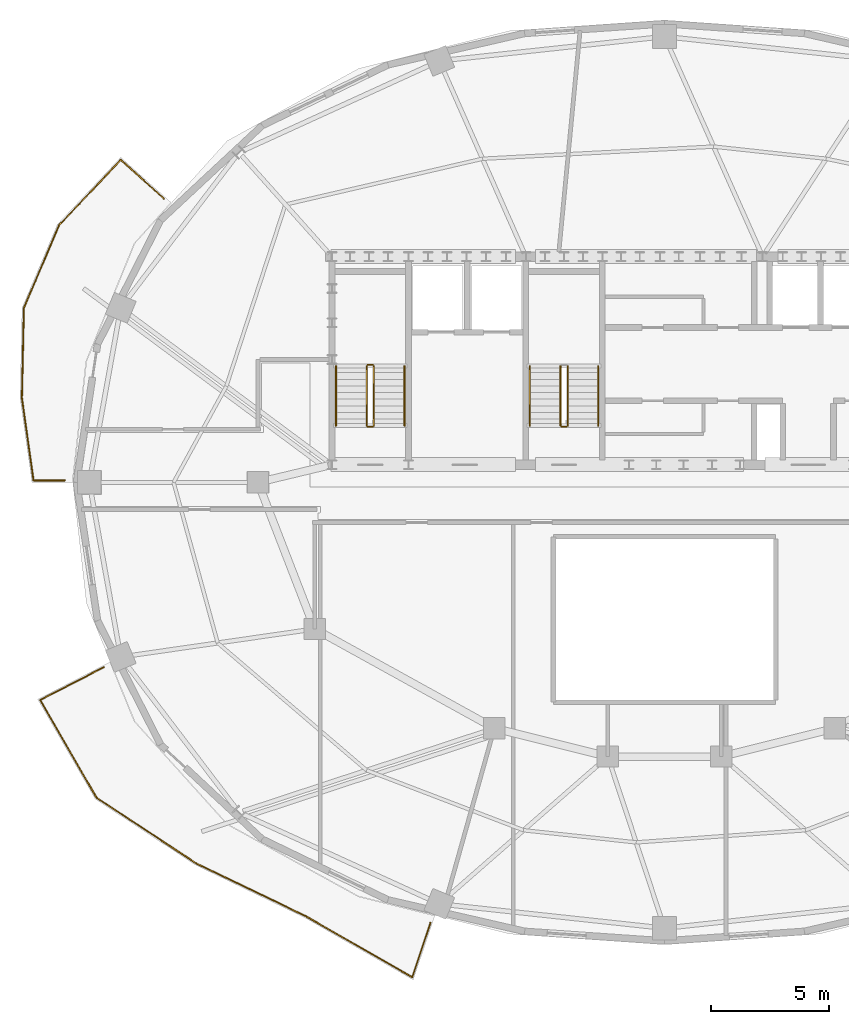
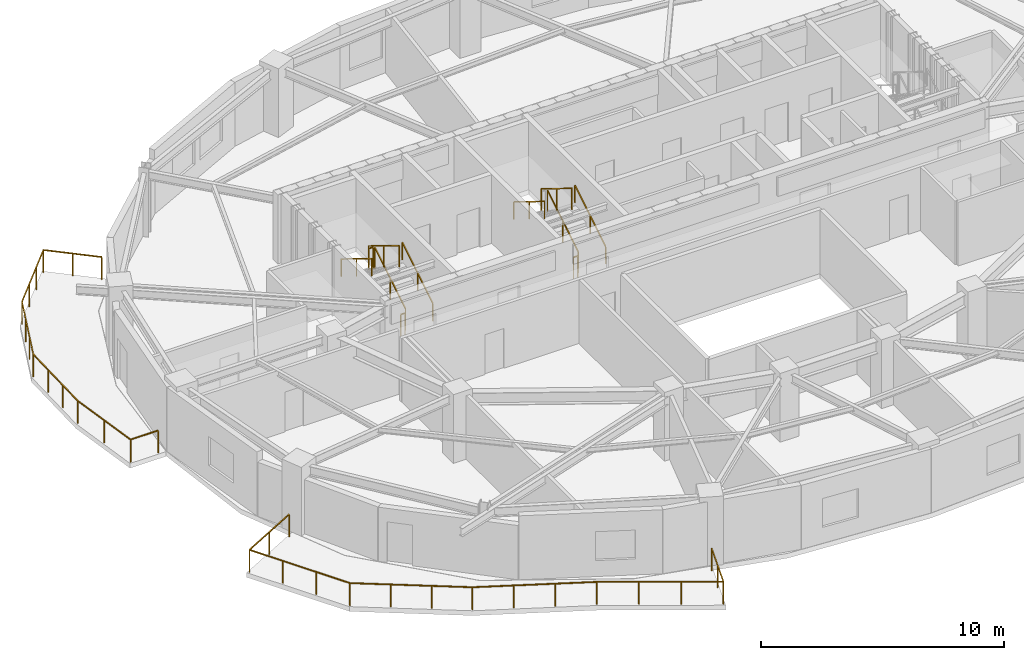
# One storey, part 7 of 10: 13 railings.
"""IFC4 building model written with IfcOpenShell, lengths in metres."""

import ifcopenshell
import ifcopenshell.guid

model = None  # the IFC model being written
_history = None  # IfcOwnerHistory: only IFC2X3 demands one
_inside = {}  # id of a spatial element -> (the spatial element, [elements in it])
_under = {}  # id of a project, library or spatial element -> (it, [spatial elements below it])
_declared = {}  # id of a project -> (the project, [libraries it declares])
_typed = {}  # id of a type object -> (the type object, [elements of that type])
_made_of = {}  # id of a material, layer set ... -> (it, [elements and type objects made of it])


def new_model(schema):
    """Start an empty IFC model of exactly this schema.

    Asked for "IFC4X3", IfcOpenShell would pick the latest addendum, in which some entities
    have other attributes; the version numbers below select the first issue.
    IFC2X3 requires an IfcOwnerHistory on every rooted entity: one is made here for all.
    """
    global model, _history
    if schema == "IFC4X3":
        model = ifcopenshell.file(schema_version=(4, 3, 0, 0))
    else:
        model = ifcopenshell.file(schema=schema)
    _inside.clear()
    _under.clear()
    _declared.clear()
    _typed.clear()
    _made_of.clear()
    _history = None
    if model.schema == "IFC2X3":
        org = make("IfcOrganization", Name="unknown")
        user = make(
            "IfcPersonAndOrganization",
            ThePerson=make("IfcPerson", FamilyName="unknown"),
            TheOrganization=org,
        )
        app = make(
            "IfcApplication",
            ApplicationDeveloper=org,
            Version="unknown",
            ApplicationFullName="unknown",
            ApplicationIdentifier="unknown",
        )
        _history = make(
            "IfcOwnerHistory",
            OwningUser=user,
            OwningApplication=app,
            ChangeAction="ADDED",
            CreationDate=0,
        )
    return model


def make(cls, **values):
    """One entity of the class cls with the attributes given. An attribute that is None is left unset."""
    return model.create_entity(
        cls, **{name: value for name, value in values.items() if value is not None}
    )


def rooted(cls, **values):
    """An entity with a GlobalId (a new one), such as an element, a storey or a relation."""
    return make(cls, GlobalId=ifcopenshell.guid.new(), OwnerHistory=_history, **values)


def si_unit(unit_type, name, prefix=None):
    """IfcSIUnit, for example si_unit("LENGTHUNIT", "METRE", prefix="MILLI")."""
    return make("IfcSIUnit", UnitType=unit_type, Prefix=prefix, Name=name)


def assignment(units):
    """IfcUnitAssignment: the units of a project."""
    return None if units is None else make("IfcUnitAssignment", Units=units)


def point(xyz):
    """IfcCartesianPoint."""
    return None if xyz is None else make("IfcCartesianPoint", Coordinates=xyz)


def direction(xyz):
    """IfcDirection."""
    return None if xyz is None else make("IfcDirection", DirectionRatios=xyz)


def frame(location, z_axis=None, x_axis=None):
    """IfcAxis2Placement3D, a coordinate frame: its origin and axes. An axis left out is left unset."""
    return make(
        "IfcAxis2Placement3D",
        Location=point(location),
        Axis=direction(z_axis),
        RefDirection=direction(x_axis),
    )


def frame_2d(location, x_axis=None):
    """IfcAxis2Placement2D, a coordinate frame in the plane: its origin and x axis."""
    return make(
        "IfcAxis2Placement2D", Location=point(location), RefDirection=direction(x_axis)
    )


def origin():
    """The frame at (0, 0, 0) with its axes left unset."""
    return frame((0.0, 0.0, 0.0))


def origin_2d():
    """The frame at (0, 0) in the plane with its x axis left unset."""
    return frame_2d((0.0, 0.0))


def place(relative_to, where):
    """IfcLocalPlacement: puts the frame where relative to a parent placement (None: the world)."""
    return make(
        "IfcLocalPlacement", PlacementRelTo=relative_to, RelativePlacement=where
    )


def context(
    kind, dimensions, precision=None, world=None, true_north=None, identifier=None
):
    """IfcGeometricRepresentationContext, for example the 3D "Model" context."""
    return make(
        "IfcGeometricRepresentationContext",
        ContextIdentifier=identifier,
        ContextType=kind,
        CoordinateSpaceDimension=dimensions,
        Precision=precision,
        WorldCoordinateSystem=world,
        TrueNorth=true_north,
    )


def subcontext(parent, identifier, kind, view, scale=None):
    """IfcGeometricRepresentationSubContext, for example "Body" below "Model"."""
    return make(
        "IfcGeometricRepresentationSubContext",
        ContextIdentifier=identifier,
        ContextType=kind,
        ParentContext=parent,
        TargetScale=scale,
        TargetView=view,
    )


def project(units=None, contexts=None):
    """IfcProject with its units and contexts."""
    return rooted(
        "IfcProject",
        Name="project",
        RepresentationContexts=contexts,
        UnitsInContext=assignment(units),
    )


def spatial(cls, under=None, at=None, **own):
    """A site, building, storey or space (cls), placed at a placement, below another one or the project."""
    s = rooted(cls, ObjectPlacement=at, **own)
    if under is not None:
        _under.setdefault(under.id(), (under, []))[1].append(s)
    return s


def profile(cls, at=None, kind="AREA", **sizes):
    """A parametric profile (cls). Its sizes go by their IFC names, for example OverallWidth=200.0."""
    return make(cls, ProfileType=kind, Position=at, **sizes)


def rectangle(**sizes):
    """IfcRectangleProfileDef."""
    return profile("IfcRectangleProfileDef", **sizes)


def extrude(swept, where, along, depth):
    """IfcExtrudedAreaSolid: the profile swept, set in the frame where, extruded along a direction by depth."""
    return make(
        "IfcExtrudedAreaSolid",
        SweptArea=swept,
        Position=where,
        ExtrudedDirection=direction(along),
        Depth=depth,
    )


def shape(context_of_items, identifier, shape_type, items):
    """IfcShapeRepresentation: the items that make up one representation, for example the "Body"."""
    return make(
        "IfcShapeRepresentation",
        ContextOfItems=context_of_items,
        RepresentationIdentifier=identifier,
        RepresentationType=shape_type,
        Items=items,
    )


def material(Name=None, Category=None):
    """IfcMaterial."""
    return make("IfcMaterial", Name=Name, Category=Category)


def made_of(thing, what):
    """Note that an element or type object is made of a material, layer set ...; save() writes the relation."""
    if what is not None:
        _made_of.setdefault(what.id(), (what, []))[1].append(thing)
    return thing


def type_object(cls, material=None, **own):
    """A type object (cls), such as IfcWallType, which elements share."""
    return made_of(rooted(cls, **own), material)


def element(
    cls,
    number,
    at=None,
    inside=None,
    cuts=None,
    type_object=None,
    material=None,
    context=None,
    identifier="Body",
    shape_type=None,
    held_by="IfcProductDefinitionShape",
    body=None,
    shapes=None,
    **own,
):
    """One element of the class cls, such as IfcWall. Its Tag is "e" and its number.

    at: its placement. inside: the storey or other place that contains it. cuts: it is an
    opening in that element (IfcRelVoidsElement). A single representation is given by context,
    identifier, shape_type and body (its items); several are given by shapes. held_by: the class
    of the entity that holds the representations. save() writes the other relations.
    """
    e = rooted(cls, Tag="e%d" % number, ObjectPlacement=at, **own)
    if body is not None:
        shapes = [shape(context, identifier, shape_type, body)]
    if shapes is not None:
        e.Representation = make(held_by, Representations=shapes)
    if inside is not None:
        _inside.setdefault(inside.id(), (inside, []))[1].append(e)
    if cuts is not None:
        rooted(
            "IfcRelVoidsElement", RelatingBuildingElement=cuts, RelatedOpeningElement=e
        )
    if type_object is not None:
        _typed.setdefault(type_object.id(), (type_object, []))[1].append(e)
    return made_of(e, material)


def aggregate(whole, parts):
    """IfcRelAggregates: a whole, such as a stair, and the parts it consists of."""
    return rooted("IfcRelAggregates", RelatingObject=whole, RelatedObjects=parts)


def save(model, path):
    """Write the relations noted so far, then the file.

    IfcRelAggregates (storeys below a building ...), IfcRelContainedInSpatialStructure (elements
    in a storey), IfcRelDefinesByType, IfcRelAssociatesMaterial and IfcRelDeclares: one each for
    every whole, place, type object, material and project.
    """
    for whole, parts in _under.values():
        aggregate(whole, parts)
    for where, things in _inside.values():
        rooted(
            "IfcRelContainedInSpatialStructure",
            RelatedElements=things,
            RelatingStructure=where,
        )
    for kind, things in _typed.values():
        rooted("IfcRelDefinesByType", RelatedObjects=things, RelatingType=kind)
    for what, things in _made_of.values():
        rooted("IfcRelAssociatesMaterial", RelatedObjects=things, RelatingMaterial=what)
    for by, libraries in _declared.values():
        rooted("IfcRelDeclares", RelatingContext=by, RelatedDefinitions=libraries)
    model.write(path)


model = new_model("IFC4")

# Units and contexts
model_context = context("Model", 3, precision=1e-05, world=origin(), true_north=direction((0.0, 1.0)))
body_context = subcontext(model_context, "Body", "Model", "MODEL_VIEW")
ifc_project = project(units=[si_unit("LENGTHUNIT", "METRE"), si_unit("AREAUNIT", "SQUARE_METRE"), si_unit("VOLUMEUNIT", "CUBIC_METRE"), si_unit("PLANEANGLEUNIT", "RADIAN"), si_unit("MASSUNIT", "GRAM", prefix="KILO")], contexts=[model_context])

# Site, building, storey
site_placement = place(None, origin())
site = spatial("IfcSite", under=ifc_project, at=site_placement, CompositionType="ELEMENT")
building_placement = place(site_placement, origin())
building = spatial("IfcBuilding", under=site, at=building_placement, Name="Haldorwick Loom Tower", CompositionType="ELEMENT")
storey_placement = place(building_placement, frame((0.0, 0.0, 262.64990234375)))
storey = spatial("IfcBuildingStorey", under=building, at=storey_placement, Name="L71", CompositionType="ELEMENT", Elevation=262.64990234375)

# Railings
ifc_material_1 = material(Name="Galvanized Steel CSA G40.21 350W", Category="steel")
railing_type_1 = type_object("IfcRailingType", Name="ARC-RLG-BAL115", PredefinedType="BALUSTRADE", material=ifc_material_1)
railing_1_placement = place(storey_placement, frame((26.09814453125, 7.369384765625, 0.0)))
element("IfcRailing", 1, at=railing_1_placement, inside=storey, type_object=railing_type_1, Name="L71 Outdoor Terrace Guardrail SLB-L71-BAL_SW-1", PredefinedType="BALUSTRADE", context=body_context, shape_type="SweptSolid", body=[
    extrude(rectangle(XDim=0.048095703125, YDim=0.048095703125, at=origin_2d()), frame((0.0, 0.0, 1.1259765625), z_axis=(-0.318097128487, -0.948058129467, 0.0), x_axis=(0.948058129467, -0.318097128487, 0.0)), (0.0, 0.0, 1.0), 2.428466796875),
    extrude(rectangle(XDim=0.048095703125, YDim=0.048095703125, at=origin_2d()), frame((-0.7724609375, -2.30224609375, 1.1259765625), z_axis=(-0.867556557093, 0.497338536858, 0.0), x_axis=(-0.497338536858, -0.867556557093, 0.0)), (0.0, 0.0, 1.0), 5.21435546875),
    extrude(rectangle(XDim=0.048095703125, YDim=0.048095703125, at=origin_2d()), frame((-5.296142578125, 0.291015625, 1.1259765625), z_axis=(-0.88583153528, 0.464006994671, 0.0), x_axis=(-0.464006994671, -0.88583153528, 0.0)), (0.0, 0.0, 1.0), 0.005859375),
    extrude(rectangle(XDim=0.048095703125, YDim=0.048095703125, at=origin_2d()), frame((-5.30126953125, 0.293701171875, 1.1259765625), z_axis=(-0.900959540585, 0.43390310696, 0.0), x_axis=(-0.43390310696, -0.900959540585, 0.0)), (0.0, 0.0, 1.0), 5.117919921875),
    extrude(rectangle(XDim=0.048095703125, YDim=0.048095703125, at=origin_2d()), frame((-9.912353515625, 2.514404296875, 1.1259765625), z_axis=(-0.835016316528, 0.550225182204, 0.0), x_axis=(-0.550225182204, -0.835016316528, 0.0)), (0.0, 0.0, 1.0), 5.044921875),
    extrude(rectangle(XDim=0.048095703125, YDim=0.048095703125, at=origin_2d()), frame((-14.125, 5.290283203125, 1.1259765625), z_axis=(-0.499904092211, 0.866080769092, 0.0), x_axis=(-0.866080769092, -0.499904092211, 0.0)), (0.0, 0.0, 1.0), 4.7705078125),
    extrude(rectangle(XDim=0.048095703125, YDim=0.048095703125, at=origin_2d()), frame((-16.509765625, 9.421875, 1.1259765625), z_axis=(0.888515434259, 0.458846731583, 0.0), x_axis=(-0.458846731583, 0.888515434259, 0.0)), (0.0, 0.0, 1.0), 3.0205078125),
    extrude(rectangle(XDim=0.0419921875, YDim=0.0419921875, at=origin_2d()), origin(), (0.0, 0.0, 1.0), 1.101806640625),
    extrude(rectangle(XDim=0.0419921875, YDim=0.0419921875, at=origin_2d()), frame((-0.38623046875, -1.151123046875, 0.0)), (0.0, 0.0, 1.0), 1.101806640625),
    extrude(rectangle(XDim=0.0419921875, YDim=0.0419921875, at=origin_2d()), frame((-0.7724609375, -2.30224609375, 0.0)), (0.0, 0.0, 1.0), 1.101806640625),
    extrude(rectangle(XDim=0.0419921875, YDim=0.0419921875, at=origin_2d()), frame((-2.2802734375, -1.437744140625, 0.0)), (0.0, 0.0, 1.0), 1.101806640625),
    extrude(rectangle(XDim=0.0419921875, YDim=0.0419921875, at=origin_2d()), frame((-3.788330078125, -0.573486328125, 0.0)), (0.0, 0.0, 1.0), 1.101806640625),
    extrude(rectangle(XDim=0.0419921875, YDim=0.0419921875, at=origin_2d()), frame((-5.296142578125, 0.291015625, 0.0)), (0.0, 0.0, 1.0), 1.101806640625),
    extrude(rectangle(XDim=0.0419921875, YDim=0.0419921875, at=origin_2d()), frame((-6.83837890625, 1.033935546875, 0.0)), (0.0, 0.0, 1.0), 1.101806640625),
    extrude(rectangle(XDim=0.0419921875, YDim=0.0419921875, at=origin_2d()), frame((-8.375244140625, 1.774169921875, 0.0)), (0.0, 0.0, 1.0), 1.101806640625),
    extrude(rectangle(XDim=0.0419921875, YDim=0.0419921875, at=origin_2d()), frame((-9.912353515625, 2.514404296875, 0.0)), (0.0, 0.0, 1.0), 1.101806640625),
    extrude(rectangle(XDim=0.0419921875, YDim=0.0419921875, at=origin_2d()), frame((-11.316650390625, 3.439697265625, 0.0)), (0.0, 0.0, 1.0), 1.101806640625),
    extrude(rectangle(XDim=0.0419921875, YDim=0.0419921875, at=origin_2d()), frame((-12.720703125, 4.364990234375, 0.0)), (0.0, 0.0, 1.0), 1.101806640625),
    extrude(rectangle(XDim=0.0419921875, YDim=0.0419921875, at=origin_2d()), frame((-14.125, 5.290283203125, 0.0)), (0.0, 0.0, 1.0), 1.101806640625),
    extrude(rectangle(XDim=0.0419921875, YDim=0.0419921875, at=origin_2d()), frame((-14.919921875, 6.66748046875, 0.0)), (0.0, 0.0, 1.0), 1.101806640625),
    extrude(rectangle(XDim=0.0419921875, YDim=0.0419921875, at=origin_2d()), frame((-15.71484375, 8.044677734375, 0.0)), (0.0, 0.0, 1.0), 1.101806640625),
    extrude(rectangle(XDim=0.0419921875, YDim=0.0419921875, at=origin_2d()), frame((-16.509765625, 9.421875, 0.0)), (0.0, 0.0, 1.0), 1.101806640625),
    extrude(rectangle(XDim=0.0419921875, YDim=0.0419921875, at=origin_2d()), frame((-15.16796875, 10.11474609375, 0.0)), (0.0, 0.0, 1.0), 1.101806640625),
    extrude(rectangle(XDim=0.0419921875, YDim=0.0419921875, at=origin_2d()), frame((-13.825927734375, 10.807861328125, 0.0)), (0.0, 0.0, 1.0), 1.101806640625),
])
railing_2_placement = place(storey_placement, frame((10.6201171875, 26.080078125, 0.0)))
element("IfcRailing", 2, at=railing_2_placement, inside=storey, type_object=railing_type_1, Name="L71 Outdoor Terrace Guardrail SLB-L71-BAL_WNW-1", PredefinedType="BALUSTRADE", context=body_context, shape_type="SweptSolid", body=[
    extrude(rectangle(XDim=0.048095703125, YDim=0.048095703125, at=origin_2d()), frame((0.0, 0.0, 1.1259765625), z_axis=(-1.0, 0.0, 0.0), x_axis=(0.0, -1.0, 0.0)), (0.0, 0.0, 1.0), 1.31396484375),
    extrude(rectangle(XDim=0.048095703125, YDim=0.048095703125, at=origin_2d()), frame((-1.31396484375, 0.0, 1.1259765625), z_axis=(-0.139753531674, 0.990186321045, 0.0), x_axis=(-0.990186321045, -0.139753531674, 0.0)), (0.0, 0.0, 1.0), 3.525390625),
    extrude(rectangle(XDim=0.048095703125, YDim=0.048095703125, at=origin_2d()), frame((-1.806640625, 3.49072265625, 1.1259765625), z_axis=(0.022039763709, 0.999757094906, 0.0), x_axis=(-0.999757094906, 0.022039763709, 0.0)), (0.0, 0.0, 1.0), 3.799560546875),
    extrude(rectangle(XDim=0.048095703125, YDim=0.048095703125, at=origin_2d()), frame((-1.722900390625, 7.289306640625, 1.1259765625), z_axis=(0.390058661454, 0.920790008973, 0.0), x_axis=(-0.920790008973, 0.390058661454, 0.0)), (0.0, 0.0, 1.0), 3.80419921875),
    extrude(rectangle(XDim=0.048095703125, YDim=0.048095703125, at=origin_2d()), frame((-0.239013671875, 10.792236328125, 1.1259765625), z_axis=(0.68661601203, 0.72702025558, 0.0), x_axis=(-0.72702025558, 0.68661601203, 0.0)), (0.0, 0.0, 1.0), 3.812744140625),
    extrude(rectangle(XDim=0.048095703125, YDim=0.048095703125, at=origin_2d()), frame((2.37890625, 13.564208984375, 1.1259765625), z_axis=(0.74350700647, -0.668728144563, 0.0), x_axis=(0.668728144563, 0.74350700647, 0.0)), (0.0, 0.0, 1.0), 2.451904296875),
    extrude(rectangle(XDim=0.0419921875, YDim=0.0419921875, at=origin_2d()), origin(), (0.0, 0.0, 1.0), 1.101806640625),
    extrude(rectangle(XDim=0.0419921875, YDim=0.0419921875, at=origin_2d()), frame((-1.31396484375, 0.0, 0.0)), (0.0, 0.0, 1.0), 1.101806640625),
    extrude(rectangle(XDim=0.0419921875, YDim=0.0419921875, at=origin_2d()), frame((-1.560302734375, 1.745361328125, 0.0)), (0.0, 0.0, 1.0), 1.101806640625),
    extrude(rectangle(XDim=0.0419921875, YDim=0.0419921875, at=origin_2d()), frame((-1.806640625, 3.49072265625, 0.0)), (0.0, 0.0, 1.0), 1.101806640625),
    extrude(rectangle(XDim=0.0419921875, YDim=0.0419921875, at=origin_2d()), frame((-1.77880859375, 4.7568359375, 0.0)), (0.0, 0.0, 1.0), 1.101806640625),
    extrude(rectangle(XDim=0.0419921875, YDim=0.0419921875, at=origin_2d()), frame((-1.750732421875, 6.023193359375, 0.0)), (0.0, 0.0, 1.0), 1.101806640625),
    extrude(rectangle(XDim=0.0419921875, YDim=0.0419921875, at=origin_2d()), frame((-1.722900390625, 7.289306640625, 0.0)), (0.0, 0.0, 1.0), 1.101806640625),
    extrude(rectangle(XDim=0.0419921875, YDim=0.0419921875, at=origin_2d()), frame((-1.228271484375, 8.45703125, 0.0)), (0.0, 0.0, 1.0), 1.101806640625),
    extrude(rectangle(XDim=0.0419921875, YDim=0.0419921875, at=origin_2d()), frame((-0.733642578125, 9.62451171875, 0.0)), (0.0, 0.0, 1.0), 1.101806640625),
    extrude(rectangle(XDim=0.0419921875, YDim=0.0419921875, at=origin_2d()), frame((-0.239013671875, 10.792236328125, 0.0)), (0.0, 0.0, 1.0), 1.101806640625),
    extrude(rectangle(XDim=0.0419921875, YDim=0.0419921875, at=origin_2d()), frame((0.633544921875, 11.71630859375, 0.0)), (0.0, 0.0, 1.0), 1.101806640625),
    extrude(rectangle(XDim=0.0419921875, YDim=0.0419921875, at=origin_2d()), frame((1.50634765625, 12.64013671875, 0.0)), (0.0, 0.0, 1.0), 1.101806640625),
    extrude(rectangle(XDim=0.0419921875, YDim=0.0419921875, at=origin_2d()), frame((2.37890625, 13.564208984375, 0.0)), (0.0, 0.0, 1.0), 1.101806640625),
    extrude(rectangle(XDim=0.0419921875, YDim=0.0419921875, at=origin_2d()), frame((3.29052734375, 12.744384765625, 0.0)), (0.0, 0.0, 1.0), 1.101806640625),
    extrude(rectangle(XDim=0.0419921875, YDim=0.0419921875, at=origin_2d()), frame((4.201904296875, 11.924560546875, 0.0)), (0.0, 0.0, 1.0), 1.101806640625),
])
ifc_material_2 = material(Name="Steel CSA G40.21 350W", Category="steel")
railing_type_2 = type_object("IfcRailingType", Name="ARC-RLG-GUARD112", PredefinedType="GUARDRAIL", material=ifc_material_2)
railing_3_placement = place(storey_placement, frame((23.699951171875, 28.39990234375, 0.172607421875)))
element("IfcRailing", 3, at=railing_3_placement, inside=storey, type_object=railing_type_2, Name="L71 ST-01 stair guard 1", PredefinedType="GUARDRAIL", context=body_context, shape_type="SweptSolid", body=[
    extrude(rectangle(XDim=0.048095703125, YDim=0.048095703125, at=origin_2d()), frame((0.0, 0.0, 1.076171875), z_axis=(0.0, 0.851400495292, 0.524516154772), x_axis=(-1.0, 0.0, 0.0)), (0.0, 0.0, 1.0), 2.9599609375),
    extrude(rectangle(XDim=0.0419921875, YDim=0.0419921875, at=origin_2d()), origin(), (0.0, 0.0, 1.0), 1.052001953125),
    extrude(rectangle(XDim=0.0419921875, YDim=0.0419921875, at=origin_2d()), frame((0.0, 1.260009765625, 0.7763671875)), (0.0, 0.0, 1.0), 1.052001953125),
    extrude(rectangle(XDim=0.0419921875, YDim=0.0419921875, at=origin_2d()), frame((0.0, 2.52001953125, 1.552490234375)), (0.0, 0.0, 1.0), 1.052001953125),
])
railing_4_placement = place(storey_placement, frame((23.64990234375, 30.969970703125, 1.72509765625)))
element("IfcRailing", 4, at=railing_4_placement, inside=storey, type_object=railing_type_2, Name="L71 ST-01 stair guard 2", PredefinedType="GUARDRAIL", context=body_context, shape_type="SweptSolid", body=[
    extrude(rectangle(XDim=0.048095703125, YDim=0.048095703125, at=origin_2d()), frame((0.0, 0.0, 1.076171875), z_axis=(-1.0, 0.0, 0.0), x_axis=(0.0, -1.0, 0.0)), (0.0, 0.0, 1.0), 0.199951171875),
    extrude(rectangle(XDim=0.0419921875, YDim=0.0419921875, at=origin_2d()), origin(), (0.0, 0.0, 1.0), 1.052001953125),
    extrude(rectangle(XDim=0.0419921875, YDim=0.0419921875, at=origin_2d()), frame((-0.199951171875, 0.0, 0.0)), (0.0, 0.0, 1.0), 1.052001953125),
])
railing_5_placement = place(storey_placement, frame((23.39990234375, 30.919921875, 1.897705078125)))
element("IfcRailing", 5, at=railing_5_placement, inside=storey, type_object=railing_type_2, Name="L71 ST-01 stair guard 3", PredefinedType="GUARDRAIL", context=body_context, shape_type="SweptSolid", body=[
    extrude(rectangle(XDim=0.048095703125, YDim=0.048095703125, at=origin_2d()), frame((0.0, 0.0, 1.076171875), z_axis=(0.0, -0.851400495292, 0.524516154772), x_axis=(1.0, 0.0, 0.0)), (0.0, 0.0, 1.0), 2.9599609375),
    extrude(rectangle(XDim=0.0419921875, YDim=0.0419921875, at=origin_2d()), origin(), (0.0, 0.0, 1.0), 1.052001953125),
    extrude(rectangle(XDim=0.0419921875, YDim=0.0419921875, at=origin_2d()), frame((0.0, -1.260009765625, 0.7763671875)), (0.0, 0.0, 1.0), 1.052001953125),
    extrude(rectangle(XDim=0.0419921875, YDim=0.0419921875, at=origin_2d()), frame((0.0, -2.52001953125, 1.552490234375)), (0.0, 0.0, 1.0), 1.052001953125),
])
railing_6_placement = place(storey_placement, frame((23.64990234375, 28.35009765625, 0.0)))
element("IfcRailing", 6, at=railing_6_placement, inside=storey, type_object=railing_type_2, Name="L71 ST-01 stair guard 4", PredefinedType="GUARDRAIL", context=body_context, shape_type="SweptSolid", body=[
    extrude(rectangle(XDim=0.048095703125, YDim=0.048095703125, at=origin_2d()), frame((0.0, 0.0, 1.076171875), z_axis=(-1.0, 0.0, 0.0), x_axis=(0.0, -1.0, 0.0)), (0.0, 0.0, 1.0), 0.199951171875),
    extrude(rectangle(XDim=0.0419921875, YDim=0.0419921875, at=origin_2d()), origin(), (0.0, 0.0, 1.0), 1.052001953125),
    extrude(rectangle(XDim=0.0419921875, YDim=0.0419921875, at=origin_2d()), frame((-0.199951171875, 0.0, 0.0)), (0.0, 0.0, 1.0), 1.052001953125),
])
railing_7_placement = place(storey_placement, frame((31.89990234375, 28.39990234375, 0.172607421875)))
element("IfcRailing", 7, at=railing_7_placement, inside=storey, type_object=railing_type_2, Name="L71 ST-03 stair guard 1", PredefinedType="GUARDRAIL", context=body_context, shape_type="SweptSolid", body=[
    extrude(rectangle(XDim=0.048095703125, YDim=0.048095703125, at=origin_2d()), frame((0.0, 0.0, 1.076171875), z_axis=(0.0, 0.851400495292, 0.524516154772), x_axis=(-1.0, 0.0, 0.0)), (0.0, 0.0, 1.0), 2.9599609375),
    extrude(rectangle(XDim=0.0419921875, YDim=0.0419921875, at=origin_2d()), origin(), (0.0, 0.0, 1.0), 1.052001953125),
    extrude(rectangle(XDim=0.0419921875, YDim=0.0419921875, at=origin_2d()), frame((0.0, 1.260009765625, 0.7763671875)), (0.0, 0.0, 1.0), 1.052001953125),
    extrude(rectangle(XDim=0.0419921875, YDim=0.0419921875, at=origin_2d()), frame((0.0, 2.52001953125, 1.552490234375)), (0.0, 0.0, 1.0), 1.052001953125),
])
railing_8_placement = place(storey_placement, frame((31.60009765625, 30.919921875, 1.897705078125)))
element("IfcRailing", 8, at=railing_8_placement, inside=storey, type_object=railing_type_2, Name="L71 ST-03 stair guard 3", PredefinedType="GUARDRAIL", context=body_context, shape_type="SweptSolid", body=[
    extrude(rectangle(XDim=0.048095703125, YDim=0.048095703125, at=origin_2d()), frame((0.0, 0.0, 1.076171875), z_axis=(0.0, -0.851400495292, 0.524516154772), x_axis=(1.0, 0.0, 0.0)), (0.0, 0.0, 1.0), 2.9599609375),
    extrude(rectangle(XDim=0.0419921875, YDim=0.0419921875, at=origin_2d()), origin(), (0.0, 0.0, 1.0), 1.052001953125),
    extrude(rectangle(XDim=0.0419921875, YDim=0.0419921875, at=origin_2d()), frame((0.0, -1.260009765625, 0.7763671875)), (0.0, 0.0, 1.0), 1.052001953125),
    extrude(rectangle(XDim=0.0419921875, YDim=0.0419921875, at=origin_2d()), frame((0.0, -2.52001953125, 1.552490234375)), (0.0, 0.0, 1.0), 1.052001953125),
])
railing_9_placement = place(storey_placement, frame((31.85009765625, 28.35009765625, 0.0)))
element("IfcRailing", 9, at=railing_9_placement, inside=storey, type_object=railing_type_2, Name="L71 ST-03 stair guard 4", PredefinedType="GUARDRAIL", context=body_context, shape_type="SweptSolid", body=[
    extrude(rectangle(XDim=0.048095703125, YDim=0.048095703125, at=origin_2d()), frame((0.0, 0.0, 1.076171875), z_axis=(-1.0, 0.0, 0.0), x_axis=(0.0, -1.0, 0.0)), (0.0, 0.0, 1.0), 0.2001953125),
    extrude(rectangle(XDim=0.0419921875, YDim=0.0419921875, at=origin_2d()), origin(), (0.0, 0.0, 1.0), 1.052001953125),
    extrude(rectangle(XDim=0.0419921875, YDim=0.0419921875, at=origin_2d()), frame((-0.2001953125, 0.0, 0.0)), (0.0, 0.0, 1.0), 1.052001953125),
])
railing_type_3 = type_object("IfcRailingType", Name="ARC-RLG-HAND092", PredefinedType="HANDRAIL", material=ifc_material_2)
railing_10_placement = place(storey_placement, frame((25.0, 28.39990234375, 0.172607421875)))
element("IfcRailing", 10, at=railing_10_placement, inside=storey, type_object=railing_type_3, Name="L71 ST-01 stair handrail 1", PredefinedType="HANDRAIL", context=body_context, shape_type="SweptSolid", body=[
    extrude(rectangle(XDim=0.048095703125, YDim=0.048095703125, at=origin_2d()), frame((0.0, 0.0, 0.8759765625), z_axis=(0.0, 0.851400495292, 0.524516154772), x_axis=(-1.0, 0.0, 0.0)), (0.0, 0.0, 1.0), 2.9599609375),
    extrude(rectangle(XDim=0.0419921875, YDim=0.0419921875, at=origin_2d()), origin(), (0.0, 0.0, 1.0), 0.851806640625),
    extrude(rectangle(XDim=0.0419921875, YDim=0.0419921875, at=origin_2d()), frame((0.0, 1.260009765625, 0.7763671875)), (0.0, 0.0, 1.0), 0.851806640625),
    extrude(rectangle(XDim=0.0419921875, YDim=0.0419921875, at=origin_2d()), frame((0.0, 2.52001953125, 1.552490234375)), (0.0, 0.0, 1.0), 0.851806640625),
])
railing_11_placement = place(storey_placement, frame((22.10009765625, 30.919921875, 1.897705078125)))
element("IfcRailing", 11, at=railing_11_placement, inside=storey, type_object=railing_type_3, Name="L71 ST-01 stair handrail 2", PredefinedType="HANDRAIL", context=body_context, shape_type="SweptSolid", body=[
    extrude(rectangle(XDim=0.048095703125, YDim=0.048095703125, at=origin_2d()), frame((0.0, 0.0, 0.8759765625), z_axis=(0.0, -0.851400495292, 0.524516154772), x_axis=(1.0, 0.0, 0.0)), (0.0, 0.0, 1.0), 2.9599609375),
    extrude(rectangle(XDim=0.0419921875, YDim=0.0419921875, at=origin_2d()), origin(), (0.0, 0.0, 1.0), 0.851806640625),
    extrude(rectangle(XDim=0.0419921875, YDim=0.0419921875, at=origin_2d()), frame((0.0, -1.260009765625, 0.7763671875)), (0.0, 0.0, 1.0), 0.851806640625),
    extrude(rectangle(XDim=0.0419921875, YDim=0.0419921875, at=origin_2d()), frame((0.0, -2.52001953125, 1.552490234375)), (0.0, 0.0, 1.0), 0.851806640625),
])
railing_12_placement = place(storey_placement, frame((33.199951171875, 28.39990234375, 0.172607421875)))
element("IfcRailing", 12, at=railing_12_placement, inside=storey, type_object=railing_type_3, Name="L71 ST-03 stair handrail 1", PredefinedType="HANDRAIL", context=body_context, shape_type="SweptSolid", body=[
    extrude(rectangle(XDim=0.048095703125, YDim=0.048095703125, at=origin_2d()), frame((0.0, 0.0, 0.8759765625), z_axis=(0.0, 0.851400495292, 0.524516154772), x_axis=(-1.0, 0.0, 0.0)), (0.0, 0.0, 1.0), 2.9599609375),
    extrude(rectangle(XDim=0.0419921875, YDim=0.0419921875, at=origin_2d()), origin(), (0.0, 0.0, 1.0), 0.851806640625),
    extrude(rectangle(XDim=0.0419921875, YDim=0.0419921875, at=origin_2d()), frame((0.0, 1.260009765625, 0.7763671875)), (0.0, 0.0, 1.0), 0.851806640625),
    extrude(rectangle(XDim=0.0419921875, YDim=0.0419921875, at=origin_2d()), frame((0.0, 2.52001953125, 1.552490234375)), (0.0, 0.0, 1.0), 0.851806640625),
])
railing_13_placement = place(storey_placement, frame((30.300048828125, 30.919921875, 1.897705078125)))
element("IfcRailing", 13, at=railing_13_placement, inside=storey, type_object=railing_type_3, Name="L71 ST-03 stair handrail 2", PredefinedType="HANDRAIL", context=body_context, shape_type="SweptSolid", body=[
    extrude(rectangle(XDim=0.048095703125, YDim=0.048095703125, at=origin_2d()), frame((0.0, 0.0, 0.8759765625), z_axis=(0.0, -0.851400495292, 0.524516154772), x_axis=(1.0, 0.0, 0.0)), (0.0, 0.0, 1.0), 2.9599609375),
    extrude(rectangle(XDim=0.0419921875, YDim=0.0419921875, at=origin_2d()), origin(), (0.0, 0.0, 1.0), 0.851806640625),
    extrude(rectangle(XDim=0.0419921875, YDim=0.0419921875, at=origin_2d()), frame((0.0, -1.260009765625, 0.7763671875)), (0.0, 0.0, 1.0), 0.851806640625),
    extrude(rectangle(XDim=0.0419921875, YDim=0.0419921875, at=origin_2d()), frame((0.0, -2.52001953125, 1.552490234375)), (0.0, 0.0, 1.0), 0.851806640625),
])

save(model, "model.ifc")
